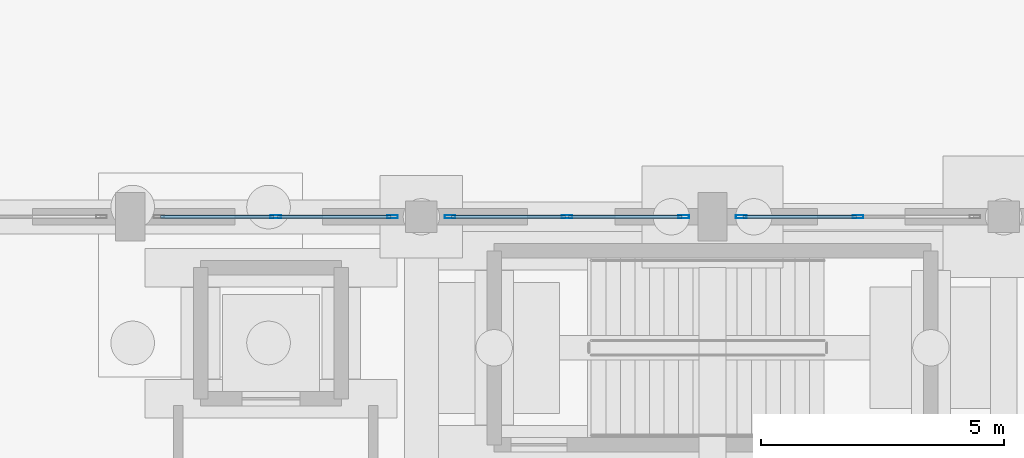
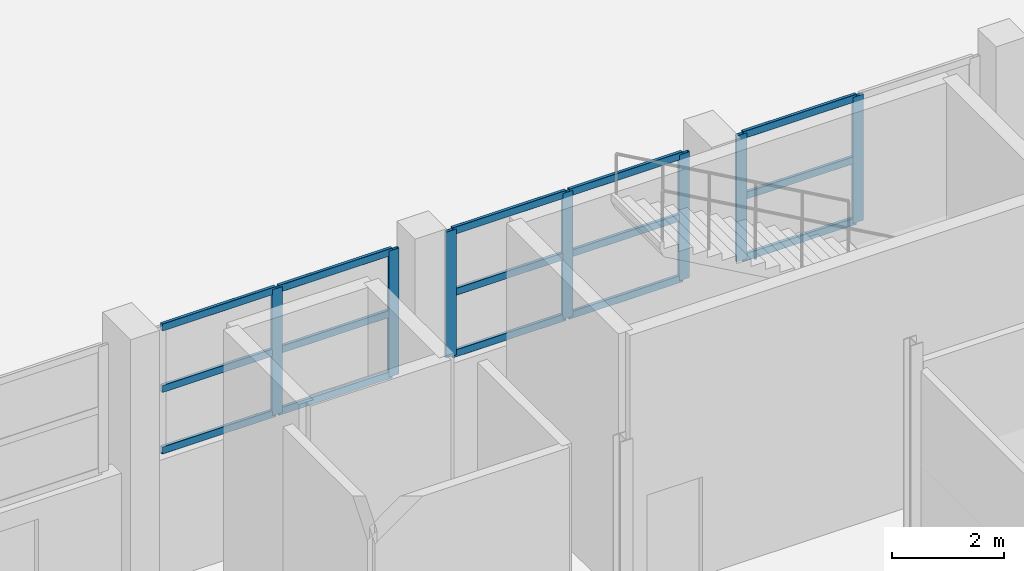
# One storey, part 65 of 103: 22 members, 3 elements without a shape of their own.
"""IFC4 building model written with IfcOpenShell, lengths in metres."""

import ifcopenshell
import ifcopenshell.guid

model = None  # the IFC model being written
_history = None  # IfcOwnerHistory: only IFC2X3 demands one
_inside = {}  # id of a spatial element -> (the spatial element, [elements in it])
_under = {}  # id of a project, library or spatial element -> (it, [spatial elements below it])
_declared = {}  # id of a project -> (the project, [libraries it declares])
_typed = {}  # id of a type object -> (the type object, [elements of that type])
_made_of = {}  # id of a material, layer set ... -> (it, [elements and type objects made of it])


def new_model(schema):
    """Start an empty IFC model of exactly this schema.

    Asked for "IFC4X3", IfcOpenShell would pick the latest addendum, in which some entities
    have other attributes; the version numbers below select the first issue.
    IFC2X3 requires an IfcOwnerHistory on every rooted entity: one is made here for all.
    """
    global model, _history
    if schema == "IFC4X3":
        model = ifcopenshell.file(schema_version=(4, 3, 0, 0))
    else:
        model = ifcopenshell.file(schema=schema)
    _inside.clear()
    _under.clear()
    _declared.clear()
    _typed.clear()
    _made_of.clear()
    _history = None
    if model.schema == "IFC2X3":
        org = make("IfcOrganization", Name="unknown")
        user = make(
            "IfcPersonAndOrganization",
            ThePerson=make("IfcPerson", FamilyName="unknown"),
            TheOrganization=org,
        )
        app = make(
            "IfcApplication",
            ApplicationDeveloper=org,
            Version="unknown",
            ApplicationFullName="unknown",
            ApplicationIdentifier="unknown",
        )
        _history = make(
            "IfcOwnerHistory",
            OwningUser=user,
            OwningApplication=app,
            ChangeAction="ADDED",
            CreationDate=0,
        )
    return model


def make(cls, **values):
    """One entity of the class cls with the attributes given. An attribute that is None is left unset."""
    return model.create_entity(
        cls, **{name: value for name, value in values.items() if value is not None}
    )


def rooted(cls, **values):
    """An entity with a GlobalId (a new one), such as an element, a storey or a relation."""
    return make(cls, GlobalId=ifcopenshell.guid.new(), OwnerHistory=_history, **values)


def si_unit(unit_type, name, prefix=None):
    """IfcSIUnit, for example si_unit("LENGTHUNIT", "METRE", prefix="MILLI")."""
    return make("IfcSIUnit", UnitType=unit_type, Prefix=prefix, Name=name)


def assignment(units):
    """IfcUnitAssignment: the units of a project."""
    return None if units is None else make("IfcUnitAssignment", Units=units)


def point(xyz):
    """IfcCartesianPoint."""
    return None if xyz is None else make("IfcCartesianPoint", Coordinates=xyz)


def direction(xyz):
    """IfcDirection."""
    return None if xyz is None else make("IfcDirection", DirectionRatios=xyz)


def frame(location, z_axis=None, x_axis=None):
    """IfcAxis2Placement3D, a coordinate frame: its origin and axes. An axis left out is left unset."""
    return make(
        "IfcAxis2Placement3D",
        Location=point(location),
        Axis=direction(z_axis),
        RefDirection=direction(x_axis),
    )


def frame_2d(location, x_axis=None):
    """IfcAxis2Placement2D, a coordinate frame in the plane: its origin and x axis."""
    return make(
        "IfcAxis2Placement2D", Location=point(location), RefDirection=direction(x_axis)
    )


def origin():
    """The frame at (0, 0, 0) with its axes left unset."""
    return frame((0.0, 0.0, 0.0))


def origin_2d():
    """The frame at (0, 0) in the plane with its x axis left unset."""
    return frame_2d((0.0, 0.0))


def place(relative_to, where):
    """IfcLocalPlacement: puts the frame where relative to a parent placement (None: the world)."""
    return make(
        "IfcLocalPlacement", PlacementRelTo=relative_to, RelativePlacement=where
    )


def context(
    kind, dimensions, precision=None, world=None, true_north=None, identifier=None
):
    """IfcGeometricRepresentationContext, for example the 3D "Model" context."""
    return make(
        "IfcGeometricRepresentationContext",
        ContextIdentifier=identifier,
        ContextType=kind,
        CoordinateSpaceDimension=dimensions,
        Precision=precision,
        WorldCoordinateSystem=world,
        TrueNorth=true_north,
    )


def subcontext(parent, identifier, kind, view, scale=None):
    """IfcGeometricRepresentationSubContext, for example "Body" below "Model"."""
    return make(
        "IfcGeometricRepresentationSubContext",
        ContextIdentifier=identifier,
        ContextType=kind,
        ParentContext=parent,
        TargetScale=scale,
        TargetView=view,
    )


def project(units=None, contexts=None):
    """IfcProject with its units and contexts."""
    return rooted(
        "IfcProject",
        Name="project",
        RepresentationContexts=contexts,
        UnitsInContext=assignment(units),
    )


def spatial(cls, under=None, at=None, **own):
    """A site, building, storey or space (cls), placed at a placement, below another one or the project."""
    s = rooted(cls, ObjectPlacement=at, **own)
    if under is not None:
        _under.setdefault(under.id(), (under, []))[1].append(s)
    return s


def profile(cls, at=None, kind="AREA", **sizes):
    """A parametric profile (cls). Its sizes go by their IFC names, for example OverallWidth=200.0."""
    return make(cls, ProfileType=kind, Position=at, **sizes)


def hollow_rectangle(**sizes):
    """IfcRectangleHollowProfileDef."""
    return profile("IfcRectangleHollowProfileDef", **sizes)


def extrude(swept, where, along, depth):
    """IfcExtrudedAreaSolid: the profile swept, set in the frame where, extruded along a direction by depth."""
    return make(
        "IfcExtrudedAreaSolid",
        SweptArea=swept,
        Position=where,
        ExtrudedDirection=direction(along),
        Depth=depth,
    )


def shape(context_of_items, identifier, shape_type, items):
    """IfcShapeRepresentation: the items that make up one representation, for example the "Body"."""
    return make(
        "IfcShapeRepresentation",
        ContextOfItems=context_of_items,
        RepresentationIdentifier=identifier,
        RepresentationType=shape_type,
        Items=items,
    )


def material(Name=None, Category=None):
    """IfcMaterial."""
    return make("IfcMaterial", Name=Name, Category=Category)


def layer(
    of_material, thickness, ventilated=None, Name=None, Category=None, Priority=None
):
    """IfcMaterialLayer: one layer of a wall or slab, of a material (None: an air gap)."""
    return make(
        "IfcMaterialLayer",
        Material=of_material,
        LayerThickness=thickness,
        IsVentilated=ventilated,
        Name=Name,
        Category=Category,
        Priority=Priority,
    )


def layer_set(layers, Name=None):
    """IfcMaterialLayerSet."""
    return make("IfcMaterialLayerSet", MaterialLayers=layers, LayerSetName=Name)


def material_profile(
    of_material, cross_section, Name=None, Category=None, Priority=None
):
    """IfcMaterialProfile: a cross section and its material."""
    return make(
        "IfcMaterialProfile",
        Name=Name,
        Material=of_material,
        Profile=cross_section,
        Priority=Priority,
        Category=Category,
    )


def profile_set(profiles, Name=None, composite=None):
    """IfcMaterialProfileSet."""
    return make(
        "IfcMaterialProfileSet",
        Name=Name,
        MaterialProfiles=profiles,
        CompositeProfile=composite,
    )


def made_of(thing, what):
    """Note that an element or type object is made of a material, layer set ...; save() writes the relation."""
    if what is not None:
        _made_of.setdefault(what.id(), (what, []))[1].append(thing)
    return thing


def type_object(cls, material=None, **own):
    """A type object (cls), such as IfcWallType, which elements share."""
    return made_of(rooted(cls, **own), material)


def element(
    cls,
    number,
    at=None,
    inside=None,
    cuts=None,
    type_object=None,
    material=None,
    context=None,
    identifier="Body",
    shape_type=None,
    held_by="IfcProductDefinitionShape",
    body=None,
    shapes=None,
    **own,
):
    """One element of the class cls, such as IfcWall. Its Tag is "e" and its number.

    at: its placement. inside: the storey or other place that contains it. cuts: it is an
    opening in that element (IfcRelVoidsElement). A single representation is given by context,
    identifier, shape_type and body (its items); several are given by shapes. held_by: the class
    of the entity that holds the representations. save() writes the other relations.
    """
    e = rooted(cls, Tag="e%d" % number, ObjectPlacement=at, **own)
    if body is not None:
        shapes = [shape(context, identifier, shape_type, body)]
    if shapes is not None:
        e.Representation = make(held_by, Representations=shapes)
    if inside is not None:
        _inside.setdefault(inside.id(), (inside, []))[1].append(e)
    if cuts is not None:
        rooted(
            "IfcRelVoidsElement", RelatingBuildingElement=cuts, RelatedOpeningElement=e
        )
    if type_object is not None:
        _typed.setdefault(type_object.id(), (type_object, []))[1].append(e)
    return made_of(e, material)


def aggregate(whole, parts):
    """IfcRelAggregates: a whole, such as a stair, and the parts it consists of."""
    return rooted("IfcRelAggregates", RelatingObject=whole, RelatedObjects=parts)


def save(model, path):
    """Write the relations noted so far, then the file.

    IfcRelAggregates (storeys below a building ...), IfcRelContainedInSpatialStructure (elements
    in a storey), IfcRelDefinesByType, IfcRelAssociatesMaterial and IfcRelDeclares: one each for
    every whole, place, type object, material and project.
    """
    for whole, parts in _under.values():
        aggregate(whole, parts)
    for where, things in _inside.values():
        rooted(
            "IfcRelContainedInSpatialStructure",
            RelatedElements=things,
            RelatingStructure=where,
        )
    for kind, things in _typed.values():
        rooted("IfcRelDefinesByType", RelatedObjects=things, RelatingType=kind)
    for what, things in _made_of.values():
        rooted("IfcRelAssociatesMaterial", RelatedObjects=things, RelatingMaterial=what)
    for by, libraries in _declared.values():
        rooted("IfcRelDeclares", RelatingContext=by, RelatedDefinitions=libraries)
    model.write(path)


model = new_model("IFC4")

# Units and contexts
model_context = context("Model", 3, precision=1e-05, world=origin(), true_north=direction((0.0, 1.0)))
body_context = subcontext(model_context, "Body", "Model", "MODEL_VIEW")
ifc_project = project(units=[si_unit("LENGTHUNIT", "METRE"), si_unit("AREAUNIT", "SQUARE_METRE"), si_unit("VOLUMEUNIT", "CUBIC_METRE"), si_unit("PLANEANGLEUNIT", "RADIAN"), si_unit("MASSUNIT", "GRAM", prefix="KILO")], contexts=[model_context])

# Site, building, storey
site_placement = place(None, origin())
site = spatial("IfcSite", under=ifc_project, at=site_placement, CompositionType="ELEMENT")
building_placement = place(site_placement, origin())
building = spatial("IfcBuilding", under=site, at=building_placement, Name="Dunvalen Ferry Terminal", CompositionType="ELEMENT")
storey_placement = place(building_placement, origin())
storey = spatial("IfcBuildingStorey", under=building, at=storey_placement, Name="L00", CompositionType="ELEMENT", Elevation=0.0)

# Curtain wall, members
ifc_material_1 = material(Name="Anodised marine aluminium and solar-control glazing", Category="aluminium")
ifc_layer = layer(ifc_material_1, 0.219970703125, Name="Anodised marine aluminium and solar-control glazing")
ifc_layer_set = layer_set([ifc_layer], Name="Anodised marine aluminium and solar-control glazing")
curtain_wall_type = type_object("IfcCurtainWallType", Name="ENV-CW-SYS-01", PredefinedType="NOTDEFINED", material=ifc_layer_set)
curtain_wall_1_placement = place(storey_placement, origin())
curtain_wall_1 = element("IfcCurtainWall", 1, at=curtain_wall_1_placement, inside=storey, type_object=curtain_wall_type, Name="L00 Curtain Wall CW-V2N-L00-07", PredefinedType="NOTDEFINED")
ifc_material_2 = material(Name="Anodised marine aluminium EN AW-6063 T6", Category="aluminium")
ifc_material_profile_1 = material_profile(ifc_material_2, hollow_rectangle(XDim=0.06494140625, YDim=0.219970703125, WallThickness=0.00390625, InnerFilletRadius=0.00390625, OuterFilletRadius=0.008056640625, at=origin_2d()), Name="Anodised marine aluminium EN AW-6063 T6")
ifc_profile_set_1 = profile_set([ifc_material_profile_1], Name="Anodised marine aluminium EN AW-6063 T6")
member_type_1 = type_object("IfcMemberType", Name="ENV-CW-MUL-1", PredefinedType="MULLION", material=ifc_profile_set_1)
member_1_placement = place(storey_placement, frame((147.0, 86.39990234375, 2.699951171875), z_axis=(0.0, 0.0, 1.0), x_axis=(0.0, 1.0, 0.0)))
member_1 = element("IfcMember", 2, at=member_1_placement, type_object=member_type_1, Name="CW-01 mullion 2", PredefinedType="MULLION", context=body_context, shape_type="SweptSolid", body=[
    extrude(hollow_rectangle(XDim=0.06494140625, YDim=0.219970703125, WallThickness=0.00390625, InnerFilletRadius=0.00390625, OuterFilletRadius=0.008056640625, at=origin_2d()), origin(), (0.0, 0.0, 1.0), 2.75),
])
member_2_placement = place(storey_placement, frame((149.407470703125, 86.39990234375, 2.699951171875), z_axis=(0.0, 0.0, 1.0), x_axis=(0.0, 1.0, 0.0)))
member_2 = element("IfcMember", 3, at=member_2_placement, type_object=member_type_1, Name="CW-01 mullion 3", PredefinedType="MULLION", context=body_context, shape_type="SweptSolid", body=[
    extrude(hollow_rectangle(XDim=0.06494140625, YDim=0.219970703125, WallThickness=0.00390625, InnerFilletRadius=0.00390625, OuterFilletRadius=0.008056640625, at=origin_2d()), origin(), (0.0, 0.0, 1.0), 2.75),
])

curtain_wall_2_placement = place(storey_placement, origin())
curtain_wall_2 = element("IfcCurtainWall", 4, at=curtain_wall_2_placement, inside=storey, type_object=curtain_wall_type, Name="L00 Curtain Wall CW-V2N-L00-08", PredefinedType="NOTDEFINED")
member_3_placement = place(storey_placement, frame((150.592529296875, 86.39990234375, 2.699951171875), z_axis=(0.0, 0.0, 1.0), x_axis=(0.0, 1.0, 0.0)))
member_3 = element("IfcMember", 5, at=member_3_placement, type_object=member_type_1, Name="CW-01 mullion 1", PredefinedType="MULLION", context=body_context, shape_type="SweptSolid", body=[
    extrude(hollow_rectangle(XDim=0.06494140625, YDim=0.219970703125, WallThickness=0.00390625, InnerFilletRadius=0.00390625, OuterFilletRadius=0.008056640625, at=origin_2d()), origin(), (0.0, 0.0, 1.0), 2.75),
])
member_4_placement = place(storey_placement, frame((153.0, 86.39990234375, 2.699951171875), z_axis=(0.0, 0.0, 1.0), x_axis=(0.0, 1.0, 0.0)))
member_4 = element("IfcMember", 6, at=member_4_placement, type_object=member_type_1, Name="CW-01 mullion 2", PredefinedType="MULLION", context=body_context, shape_type="SweptSolid", body=[
    extrude(hollow_rectangle(XDim=0.06494140625, YDim=0.219970703125, WallThickness=0.00390625, InnerFilletRadius=0.00390625, OuterFilletRadius=0.008056640625, at=origin_2d()), origin(), (0.0, 0.0, 1.0), 2.75),
])
member_5_placement = place(storey_placement, frame((155.407470703125, 86.39990234375, 2.699951171875), z_axis=(0.0, 0.0, 1.0), x_axis=(0.0, 1.0, 0.0)))
member_5 = element("IfcMember", 7, at=member_5_placement, type_object=member_type_1, Name="CW-01 mullion 3", PredefinedType="MULLION", context=body_context, shape_type="SweptSolid", body=[
    extrude(hollow_rectangle(XDim=0.06494140625, YDim=0.219970703125, WallThickness=0.00390625, InnerFilletRadius=0.00390625, OuterFilletRadius=0.008056640625, at=origin_2d()), origin(), (0.0, 0.0, 1.0), 2.75),
])

curtain_wall_3_placement = place(storey_placement, origin())
curtain_wall_3 = element("IfcCurtainWall", 8, at=curtain_wall_3_placement, inside=storey, type_object=curtain_wall_type, Name="L00 Curtain Wall CW-V2N-L00-09", PredefinedType="NOTDEFINED")
member_6_placement = place(storey_placement, frame((156.592529296875, 86.39990234375, 2.699951171875), z_axis=(0.0, 0.0, 1.0), x_axis=(0.0, 1.0, 0.0)))
member_6 = element("IfcMember", 9, at=member_6_placement, type_object=member_type_1, Name="CW-01 mullion 1", PredefinedType="MULLION", context=body_context, shape_type="SweptSolid", body=[
    extrude(hollow_rectangle(XDim=0.06494140625, YDim=0.219970703125, WallThickness=0.00390625, InnerFilletRadius=0.00390625, OuterFilletRadius=0.008056640625, at=origin_2d()), origin(), (0.0, 0.0, 1.0), 2.75),
])
member_7_placement = place(storey_placement, frame((159.0, 86.39990234375, 2.699951171875), z_axis=(0.0, 0.0, 1.0), x_axis=(0.0, 1.0, 0.0)))
member_7 = element("IfcMember", 10, at=member_7_placement, type_object=member_type_1, Name="CW-01 mullion 2", PredefinedType="MULLION", context=body_context, shape_type="SweptSolid", body=[
    extrude(hollow_rectangle(XDim=0.06494140625, YDim=0.219970703125, WallThickness=0.00390625, InnerFilletRadius=0.00390625, OuterFilletRadius=0.008056640625, at=origin_2d()), origin(), (0.0, 0.0, 1.0), 2.75),
])

# Member
ifc_material_profile_2 = material_profile(ifc_material_2, hollow_rectangle(XDim=0.06494140625, YDim=0.159912109375, WallThickness=0.00341796875, InnerFilletRadius=0.00341796875, OuterFilletRadius=0.007080078125, at=origin_2d()), Name="Anodised marine aluminium EN AW-6063 T6")
ifc_profile_set_2 = profile_set([ifc_material_profile_2], Name="Anodised marine aluminium EN AW-6063 T6")
member_type_2 = type_object("IfcMemberType", Name="ENV-CW-TRN-1", PredefinedType="USERDEFINED", material=ifc_profile_set_2)
member_8_placement = place(storey_placement, frame((144.625, 86.39990234375, 2.732421875), z_axis=(1.0, 0.0, 0.0), x_axis=(0.0, 1.0, 0.0)))
member_8 = element("IfcMember", 11, at=member_8_placement, type_object=member_type_2, Name="CW-01 transom 1.1", ObjectType="TRANSOM", PredefinedType="USERDEFINED", context=body_context, shape_type="SweptSolid", body=[
    extrude(hollow_rectangle(XDim=0.06494140625, YDim=0.159912109375, WallThickness=0.00341796875, InnerFilletRadius=0.00341796875, OuterFilletRadius=0.007080078125, at=origin_2d()), origin(), (0.0, 0.0, 1.0), 2.342529296875),
])

member_9_placement = place(storey_placement, frame((144.625, 86.39990234375, 4.074951171875), z_axis=(1.0, 0.0, 0.0), x_axis=(0.0, 1.0, 0.0)))
member_9 = element("IfcMember", 12, at=member_9_placement, type_object=member_type_2, Name="CW-01 transom 1.2", ObjectType="TRANSOM", PredefinedType="USERDEFINED", context=body_context, shape_type="SweptSolid", body=[
    extrude(hollow_rectangle(XDim=0.06494140625, YDim=0.159912109375, WallThickness=0.00341796875, InnerFilletRadius=0.00341796875, OuterFilletRadius=0.007080078125, at=origin_2d()), origin(), (0.0, 0.0, 1.0), 2.342529296875),
])

member_10_placement = place(storey_placement, frame((144.625, 86.39990234375, 5.41748046875), z_axis=(1.0, 0.0, 0.0), x_axis=(0.0, 1.0, 0.0)))
member_10 = element("IfcMember", 13, at=member_10_placement, type_object=member_type_2, Name="CW-01 transom 1.3", ObjectType="TRANSOM", PredefinedType="USERDEFINED", context=body_context, shape_type="SweptSolid", body=[
    extrude(hollow_rectangle(XDim=0.06494140625, YDim=0.159912109375, WallThickness=0.00341796875, InnerFilletRadius=0.00341796875, OuterFilletRadius=0.007080078125, at=origin_2d()), origin(), (0.0, 0.0, 1.0), 2.342529296875),
])

member_11_placement = place(storey_placement, frame((147.032470703125, 86.39990234375, 2.732421875), z_axis=(1.0, 0.0, 0.0), x_axis=(0.0, 1.0, 0.0)))
member_11 = element("IfcMember", 14, at=member_11_placement, type_object=member_type_2, Name="CW-01 transom 2.1", ObjectType="TRANSOM", PredefinedType="USERDEFINED", context=body_context, shape_type="SweptSolid", body=[
    extrude(hollow_rectangle(XDim=0.06494140625, YDim=0.159912109375, WallThickness=0.00341796875, InnerFilletRadius=0.00341796875, OuterFilletRadius=0.007080078125, at=origin_2d()), origin(), (0.0, 0.0, 1.0), 2.342529296875),
])

member_12_placement = place(storey_placement, frame((147.032470703125, 86.39990234375, 4.074951171875), z_axis=(1.0, 0.0, 0.0), x_axis=(0.0, 1.0, 0.0)))
member_12 = element("IfcMember", 15, at=member_12_placement, type_object=member_type_2, Name="CW-01 transom 2.2", ObjectType="TRANSOM", PredefinedType="USERDEFINED", context=body_context, shape_type="SweptSolid", body=[
    extrude(hollow_rectangle(XDim=0.06494140625, YDim=0.159912109375, WallThickness=0.00341796875, InnerFilletRadius=0.00341796875, OuterFilletRadius=0.007080078125, at=origin_2d()), origin(), (0.0, 0.0, 1.0), 2.342529296875),
])

member_13_placement = place(storey_placement, frame((147.032470703125, 86.39990234375, 5.41748046875), z_axis=(1.0, 0.0, 0.0), x_axis=(0.0, 1.0, 0.0)))
member_13 = element("IfcMember", 16, at=member_13_placement, type_object=member_type_2, Name="CW-01 transom 2.3", ObjectType="TRANSOM", PredefinedType="USERDEFINED", context=body_context, shape_type="SweptSolid", body=[
    extrude(hollow_rectangle(XDim=0.06494140625, YDim=0.159912109375, WallThickness=0.00341796875, InnerFilletRadius=0.00341796875, OuterFilletRadius=0.007080078125, at=origin_2d()), origin(), (0.0, 0.0, 1.0), 2.342529296875),
])

aggregate(curtain_wall_1, [member_1, member_2, member_8, member_9, member_10, member_11, member_12, member_13])

member_14_placement = place(storey_placement, frame((150.625, 86.39990234375, 2.732421875), z_axis=(1.0, 0.0, 0.0), x_axis=(0.0, 1.0, 0.0)))
member_14 = element("IfcMember", 17, at=member_14_placement, type_object=member_type_2, Name="CW-01 transom 1.1", ObjectType="TRANSOM", PredefinedType="USERDEFINED", context=body_context, shape_type="SweptSolid", body=[
    extrude(hollow_rectangle(XDim=0.06494140625, YDim=0.159912109375, WallThickness=0.00341796875, InnerFilletRadius=0.00341796875, OuterFilletRadius=0.007080078125, at=origin_2d()), origin(), (0.0, 0.0, 1.0), 2.342529296875),
])

member_15_placement = place(storey_placement, frame((150.625, 86.39990234375, 4.074951171875), z_axis=(1.0, 0.0, 0.0), x_axis=(0.0, 1.0, 0.0)))
member_15 = element("IfcMember", 18, at=member_15_placement, type_object=member_type_2, Name="CW-01 transom 1.2", ObjectType="TRANSOM", PredefinedType="USERDEFINED", context=body_context, shape_type="SweptSolid", body=[
    extrude(hollow_rectangle(XDim=0.06494140625, YDim=0.159912109375, WallThickness=0.00341796875, InnerFilletRadius=0.00341796875, OuterFilletRadius=0.007080078125, at=origin_2d()), origin(), (0.0, 0.0, 1.0), 2.342529296875),
])

member_16_placement = place(storey_placement, frame((150.625, 86.39990234375, 5.41748046875), z_axis=(1.0, 0.0, 0.0), x_axis=(0.0, 1.0, 0.0)))
member_16 = element("IfcMember", 19, at=member_16_placement, type_object=member_type_2, Name="CW-01 transom 1.3", ObjectType="TRANSOM", PredefinedType="USERDEFINED", context=body_context, shape_type="SweptSolid", body=[
    extrude(hollow_rectangle(XDim=0.06494140625, YDim=0.159912109375, WallThickness=0.00341796875, InnerFilletRadius=0.00341796875, OuterFilletRadius=0.007080078125, at=origin_2d()), origin(), (0.0, 0.0, 1.0), 2.342529296875),
])

member_17_placement = place(storey_placement, frame((153.032470703125, 86.39990234375, 2.732421875), z_axis=(1.0, 0.0, 0.0), x_axis=(0.0, 1.0, 0.0)))
member_17 = element("IfcMember", 20, at=member_17_placement, type_object=member_type_2, Name="CW-01 transom 2.1", ObjectType="TRANSOM", PredefinedType="USERDEFINED", context=body_context, shape_type="SweptSolid", body=[
    extrude(hollow_rectangle(XDim=0.06494140625, YDim=0.159912109375, WallThickness=0.00341796875, InnerFilletRadius=0.00341796875, OuterFilletRadius=0.007080078125, at=origin_2d()), origin(), (0.0, 0.0, 1.0), 2.342529296875),
])

member_18_placement = place(storey_placement, frame((153.032470703125, 86.39990234375, 4.074951171875), z_axis=(1.0, 0.0, 0.0), x_axis=(0.0, 1.0, 0.0)))
member_18 = element("IfcMember", 21, at=member_18_placement, type_object=member_type_2, Name="CW-01 transom 2.2", ObjectType="TRANSOM", PredefinedType="USERDEFINED", context=body_context, shape_type="SweptSolid", body=[
    extrude(hollow_rectangle(XDim=0.06494140625, YDim=0.159912109375, WallThickness=0.00341796875, InnerFilletRadius=0.00341796875, OuterFilletRadius=0.007080078125, at=origin_2d()), origin(), (0.0, 0.0, 1.0), 2.342529296875),
])

member_19_placement = place(storey_placement, frame((153.032470703125, 86.39990234375, 5.41748046875), z_axis=(1.0, 0.0, 0.0), x_axis=(0.0, 1.0, 0.0)))
member_19 = element("IfcMember", 22, at=member_19_placement, type_object=member_type_2, Name="CW-01 transom 2.3", ObjectType="TRANSOM", PredefinedType="USERDEFINED", context=body_context, shape_type="SweptSolid", body=[
    extrude(hollow_rectangle(XDim=0.06494140625, YDim=0.159912109375, WallThickness=0.00341796875, InnerFilletRadius=0.00341796875, OuterFilletRadius=0.007080078125, at=origin_2d()), origin(), (0.0, 0.0, 1.0), 2.342529296875),
])

aggregate(curtain_wall_2, [member_3, member_4, member_5, member_14, member_15, member_16, member_17, member_18, member_19])

member_20_placement = place(storey_placement, frame((156.625, 86.39990234375, 2.732421875), z_axis=(1.0, 0.0, 0.0), x_axis=(0.0, 1.0, 0.0)))
member_20 = element("IfcMember", 23, at=member_20_placement, type_object=member_type_2, Name="CW-01 transom 1.1", ObjectType="TRANSOM", PredefinedType="USERDEFINED", context=body_context, shape_type="SweptSolid", body=[
    extrude(hollow_rectangle(XDim=0.06494140625, YDim=0.159912109375, WallThickness=0.00341796875, InnerFilletRadius=0.00341796875, OuterFilletRadius=0.007080078125, at=origin_2d()), origin(), (0.0, 0.0, 1.0), 2.342529296875),
])

member_21_placement = place(storey_placement, frame((156.625, 86.39990234375, 4.074951171875), z_axis=(1.0, 0.0, 0.0), x_axis=(0.0, 1.0, 0.0)))
member_21 = element("IfcMember", 24, at=member_21_placement, type_object=member_type_2, Name="CW-01 transom 1.2", ObjectType="TRANSOM", PredefinedType="USERDEFINED", context=body_context, shape_type="SweptSolid", body=[
    extrude(hollow_rectangle(XDim=0.06494140625, YDim=0.159912109375, WallThickness=0.00341796875, InnerFilletRadius=0.00341796875, OuterFilletRadius=0.007080078125, at=origin_2d()), origin(), (0.0, 0.0, 1.0), 2.342529296875),
])

member_22_placement = place(storey_placement, frame((156.625, 86.39990234375, 5.41748046875), z_axis=(1.0, 0.0, 0.0), x_axis=(0.0, 1.0, 0.0)))
member_22 = element("IfcMember", 25, at=member_22_placement, type_object=member_type_2, Name="CW-01 transom 1.3", ObjectType="TRANSOM", PredefinedType="USERDEFINED", context=body_context, shape_type="SweptSolid", body=[
    extrude(hollow_rectangle(XDim=0.06494140625, YDim=0.159912109375, WallThickness=0.00341796875, InnerFilletRadius=0.00341796875, OuterFilletRadius=0.007080078125, at=origin_2d()), origin(), (0.0, 0.0, 1.0), 2.342529296875),
])

aggregate(curtain_wall_3, [member_6, member_7, member_20, member_21, member_22])

save(model, "model.ifc")
